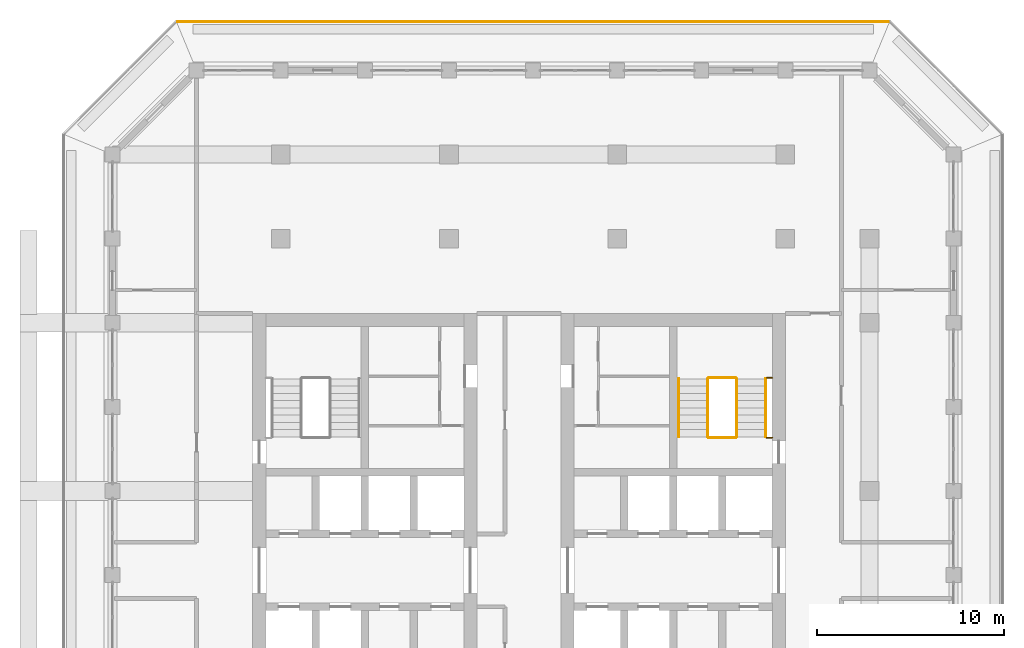
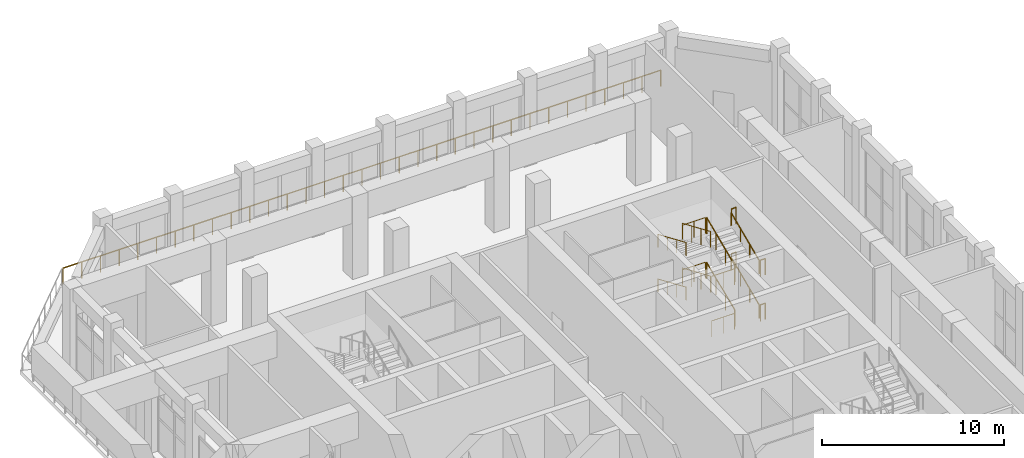
# One storey, part 23 of 25: 17 railings.
"""IFC4 building model written with IfcOpenShell, lengths in metres."""

from ifc_helpers import new_model, si_unit, direction, frame, origin, origin_2d, place, context, subcontext, project, spatial, circle, extrude, material, type_object, element, save


model = new_model("IFC4")

# Units and contexts
model_context = context("Model", 3, precision=1e-05, world=origin(), true_north=direction((0.0, 1.0)))
body_context = subcontext(model_context, "Body", "Model", "MODEL_VIEW")
ifc_project = project(units=[si_unit("LENGTHUNIT", "METRE"), si_unit("AREAUNIT", "SQUARE_METRE"), si_unit("VOLUMEUNIT", "CUBIC_METRE"), si_unit("PLANEANGLEUNIT", "RADIAN"), si_unit("MASSUNIT", "GRAM", prefix="KILO")], contexts=[model_context])

# Site, building, storey
site_placement = place(None, origin())
site = spatial("IfcSite", under=ifc_project, at=site_placement, CompositionType="ELEMENT")
building_placement = place(site_placement, origin())
building = spatial("IfcBuilding", under=site, at=building_placement, Name="Corbel Stack Research Tower", CompositionType="ELEMENT")
storey_placement = place(building_placement, frame((0.0, 0.0, 260.300048828125)))
storey = spatial("IfcBuildingStorey", under=building, at=storey_placement, Name="L59", CompositionType="ELEMENT", Elevation=260.300048828125)

# Railings
ifc_material_1 = material(Name="Steel S355", Category="steel")
railing_type_1 = type_object("IfcRailingType", Name="Stair guard 1100", PredefinedType="GUARDRAIL", material=ifc_material_1)
railing_1_placement = place(storey_placement, frame((15.39990234375, 11.89990234375, 0.16650390625)))
element("IfcRailing", 1, at=railing_1_placement, inside=storey, type_object=railing_type_1, Name="L59 ST-E2 stair guard 1", PredefinedType="GUARDRAIL", context=body_context, shape_type="SweptSolid", body=[
    extrude(circle(Radius=0.02392578125, at=origin_2d()), frame((0.0, 0.0, 1.076171875), z_axis=(0.0, 0.918800789217, 0.394721559753), x_axis=(-1.0, 0.0, 0.0)), (0.0, 0.0, 1.0), 3.37841796875),
    extrude(circle(Radius=0.02099609375, at=origin_2d()), origin(), (0.0, 0.0, 1.0), 1.052001953125),
    extrude(circle(Radius=0.02099609375, at=origin_2d()), frame((0.0, 1.03466796875, 0.444580078125)), (0.0, 0.0, 1.0), 1.052001953125),
    extrude(circle(Radius=0.02099609375, at=origin_2d()), frame((0.0, 2.0693359375, 0.888916015625)), (0.0, 0.0, 1.0), 1.052001953125),
    extrude(circle(Radius=0.02099609375, at=origin_2d()), frame((0.0, 3.10400390625, 1.33349609375)), (0.0, 0.0, 1.0), 1.052001953125),
])
railing_2_placement = place(storey_placement, frame((15.35009765625, 15.053955078125, 1.5)))
element("IfcRailing", 2, at=railing_2_placement, inside=storey, type_object=railing_type_1, Name="L59 ST-E2 stair guard 2", PredefinedType="GUARDRAIL", context=body_context, shape_type="SweptSolid", body=[
    extrude(circle(Radius=0.02392578125, at=origin_2d()), frame((0.0, 0.0, 1.076171875), z_axis=(-1.0, 0.0, 0.0), x_axis=(0.0, -1.0, 0.0)), (0.0, 0.0, 1.0), 1.4501953125),
    extrude(circle(Radius=0.02099609375, at=origin_2d()), origin(), (0.0, 0.0, 1.0), 1.052001953125),
    extrude(circle(Radius=0.02099609375, at=origin_2d()), frame((-0.72509765625, 0.0, 0.0)), (0.0, 0.0, 1.0), 1.052001953125),
    extrude(circle(Radius=0.02099609375, at=origin_2d()), frame((-1.4501953125, 0.0, 0.0)), (0.0, 0.0, 1.0), 1.052001953125),
])
railing_3_placement = place(storey_placement, frame((17.300048828125, 15.053955078125, 1.5)))
element("IfcRailing", 3, at=railing_3_placement, inside=storey, type_object=railing_type_1, Name="L59 ST-E2 stair guard 3", PredefinedType="GUARDRAIL", context=body_context, shape_type="SweptSolid", body=[
    extrude(circle(Radius=0.02392578125, at=origin_2d()), frame((0.0, 0.0, 1.076171875), z_axis=(-1.0, 0.0, 0.0), x_axis=(0.0, -1.0, 0.0)), (0.0, 0.0, 1.0), 0.300048828125),
    extrude(circle(Radius=0.02099609375, at=origin_2d()), origin(), (0.0, 0.0, 1.0), 1.052001953125),
    extrude(circle(Radius=0.02099609375, at=origin_2d()), frame((-0.300048828125, 0.0, 0.0)), (0.0, 0.0, 1.0), 1.052001953125),
])
railing_4_placement = place(storey_placement, frame((13.85009765625, 15.00390625, 1.66650390625)))
element("IfcRailing", 4, at=railing_4_placement, inside=storey, type_object=railing_type_1, Name="L59 ST-E2 stair guard 4", PredefinedType="GUARDRAIL", context=body_context, shape_type="SweptSolid", body=[
    extrude(circle(Radius=0.02392578125, at=origin_2d()), frame((0.0, 0.0, 1.076171875), z_axis=(0.0, -0.918800789217, 0.394721559753), x_axis=(1.0, 0.0, 0.0)), (0.0, 0.0, 1.0), 3.37841796875),
    extrude(circle(Radius=0.02099609375, at=origin_2d()), origin(), (0.0, 0.0, 1.0), 1.052001953125),
    extrude(circle(Radius=0.02099609375, at=origin_2d()), frame((0.0, -1.03466796875, 0.444580078125)), (0.0, 0.0, 1.0), 1.052001953125),
    extrude(circle(Radius=0.02099609375, at=origin_2d()), frame((0.0, -2.0693359375, 0.888916015625)), (0.0, 0.0, 1.0), 1.052001953125),
    extrude(circle(Radius=0.02099609375, at=origin_2d()), frame((0.0, -3.10400390625, 1.33349609375)), (0.0, 0.0, 1.0), 1.052001953125),
])
railing_5_placement = place(storey_placement, frame((15.35009765625, 11.85009765625, 3.0)))
element("IfcRailing", 5, at=railing_5_placement, inside=storey, type_object=railing_type_1, Name="L59 ST-E2 stair guard 5", PredefinedType="GUARDRAIL", context=body_context, shape_type="SweptSolid", body=[
    extrude(circle(Radius=0.02392578125, at=origin_2d()), frame((0.0, 0.0, 1.076171875), z_axis=(-1.0, 0.0, 0.0), x_axis=(0.0, -1.0, 0.0)), (0.0, 0.0, 1.0), 1.4501953125),
    extrude(circle(Radius=0.02099609375, at=origin_2d()), origin(), (0.0, 0.0, 1.0), 1.052001953125),
    extrude(circle(Radius=0.02099609375, at=origin_2d()), frame((-0.72509765625, 0.0, 0.0)), (0.0, 0.0, 1.0), 1.052001953125),
    extrude(circle(Radius=0.02099609375, at=origin_2d()), frame((-1.4501953125, 0.0, 0.0)), (0.0, 0.0, 1.0), 1.052001953125),
])
railing_6_placement = place(storey_placement, frame((17.300048828125, 11.85009765625, 3.0)))
element("IfcRailing", 6, at=railing_6_placement, inside=storey, type_object=railing_type_1, Name="L59 ST-E2 stair guard 6", PredefinedType="GUARDRAIL", context=body_context, shape_type="SweptSolid", body=[
    extrude(circle(Radius=0.02392578125, at=origin_2d()), frame((0.0, 0.0, 1.076171875), z_axis=(-1.0, 0.0, 0.0), x_axis=(0.0, -1.0, 0.0)), (0.0, 0.0, 1.0), 0.300048828125),
    extrude(circle(Radius=0.02099609375, at=origin_2d()), origin(), (0.0, 0.0, 1.0), 1.052001953125),
    extrude(circle(Radius=0.02099609375, at=origin_2d()), frame((-0.300048828125, 0.0, 0.0)), (0.0, 0.0, 1.0), 1.052001953125),
])
railing_7_placement = place(storey_placement, frame((15.39990234375, 11.89990234375, 3.16650390625)))
element("IfcRailing", 7, at=railing_7_placement, inside=storey, type_object=railing_type_1, Name="L59 ST-E2 stair guard 7", PredefinedType="GUARDRAIL", context=body_context, shape_type="SweptSolid", body=[
    extrude(circle(Radius=0.02392578125, at=origin_2d()), frame((0.0, 0.0, 1.076171875), z_axis=(0.0, 0.918800789217, 0.394721559753), x_axis=(-1.0, 0.0, 0.0)), (0.0, 0.0, 1.0), 3.37841796875),
    extrude(circle(Radius=0.02099609375, at=origin_2d()), origin(), (0.0, 0.0, 1.0), 1.052001953125),
    extrude(circle(Radius=0.02099609375, at=origin_2d()), frame((0.0, 1.03466796875, 0.444580078125)), (0.0, 0.0, 1.0), 1.052001953125),
    extrude(circle(Radius=0.02099609375, at=origin_2d()), frame((0.0, 2.0693359375, 0.888916015625)), (0.0, 0.0, 1.0), 1.052001953125),
    extrude(circle(Radius=0.02099609375, at=origin_2d()), frame((0.0, 3.10400390625, 1.33349609375)), (0.0, 0.0, 1.0), 1.052001953125),
])
railing_8_placement = place(storey_placement, frame((15.35009765625, 15.053955078125, 4.5)))
element("IfcRailing", 8, at=railing_8_placement, inside=storey, type_object=railing_type_1, Name="L59 ST-E2 stair guard 8", PredefinedType="GUARDRAIL", context=body_context, shape_type="SweptSolid", body=[
    extrude(circle(Radius=0.02392578125, at=origin_2d()), frame((0.0, 0.0, 1.076171875), z_axis=(-1.0, 0.0, 0.0), x_axis=(0.0, -1.0, 0.0)), (0.0, 0.0, 1.0), 1.4501953125),
    extrude(circle(Radius=0.02099609375, at=origin_2d()), origin(), (0.0, 0.0, 1.0), 1.052001953125),
    extrude(circle(Radius=0.02099609375, at=origin_2d()), frame((-0.72509765625, 0.0, 0.0)), (0.0, 0.0, 1.0), 1.052001953125),
    extrude(circle(Radius=0.02099609375, at=origin_2d()), frame((-1.4501953125, 0.0, 0.0)), (0.0, 0.0, 1.0), 1.052001953125),
])
railing_9_placement = place(storey_placement, frame((17.300048828125, 15.053955078125, 4.5)))
element("IfcRailing", 9, at=railing_9_placement, inside=storey, type_object=railing_type_1, Name="L59 ST-E2 stair guard 9", PredefinedType="GUARDRAIL", context=body_context, shape_type="SweptSolid", body=[
    extrude(circle(Radius=0.02392578125, at=origin_2d()), frame((0.0, 0.0, 1.076171875), z_axis=(-1.0, 0.0, 0.0), x_axis=(0.0, -1.0, 0.0)), (0.0, 0.0, 1.0), 0.300048828125),
    extrude(circle(Radius=0.02099609375, at=origin_2d()), origin(), (0.0, 0.0, 1.0), 1.052001953125),
    extrude(circle(Radius=0.02099609375, at=origin_2d()), frame((-0.300048828125, 0.0, 0.0)), (0.0, 0.0, 1.0), 1.052001953125),
])
railing_10_placement = place(storey_placement, frame((13.85009765625, 15.00390625, 4.66650390625)))
element("IfcRailing", 10, at=railing_10_placement, inside=storey, type_object=railing_type_1, Name="L59 ST-E2 stair guard 10", PredefinedType="GUARDRAIL", context=body_context, shape_type="SweptSolid", body=[
    extrude(circle(Radius=0.02392578125, at=origin_2d()), frame((0.0, 0.0, 1.076171875), z_axis=(0.0, -0.918800789217, 0.394721559753), x_axis=(1.0, 0.0, 0.0)), (0.0, 0.0, 1.0), 3.37841796875),
    extrude(circle(Radius=0.02099609375, at=origin_2d()), origin(), (0.0, 0.0, 1.0), 1.052001953125),
    extrude(circle(Radius=0.02099609375, at=origin_2d()), frame((0.0, -1.03466796875, 0.444580078125)), (0.0, 0.0, 1.0), 1.052001953125),
    extrude(circle(Radius=0.02099609375, at=origin_2d()), frame((0.0, -2.0693359375, 0.888916015625)), (0.0, 0.0, 1.0), 1.052001953125),
    extrude(circle(Radius=0.02099609375, at=origin_2d()), frame((0.0, -3.10400390625, 1.33349609375)), (0.0, 0.0, 1.0), 1.052001953125),
])
railing_11_placement = place(storey_placement, frame((15.35009765625, 11.85009765625, 0.0)))
element("IfcRailing", 11, at=railing_11_placement, inside=storey, type_object=railing_type_1, Name="L59 ST-E2 stair guard 11", PredefinedType="GUARDRAIL", context=body_context, shape_type="SweptSolid", body=[
    extrude(circle(Radius=0.02392578125, at=origin_2d()), frame((0.0, 0.0, 1.076171875), z_axis=(-1.0, 0.0, 0.0), x_axis=(0.0, -1.0, 0.0)), (0.0, 0.0, 1.0), 1.4501953125),
    extrude(circle(Radius=0.02099609375, at=origin_2d()), origin(), (0.0, 0.0, 1.0), 1.052001953125),
    extrude(circle(Radius=0.02099609375, at=origin_2d()), frame((-0.72509765625, 0.0, 0.0)), (0.0, 0.0, 1.0), 1.052001953125),
    extrude(circle(Radius=0.02099609375, at=origin_2d()), frame((-1.4501953125, 0.0, 0.0)), (0.0, 0.0, 1.0), 1.052001953125),
])
railing_12_placement = place(storey_placement, frame((17.300048828125, 11.85009765625, 0.0)))
element("IfcRailing", 12, at=railing_12_placement, inside=storey, type_object=railing_type_1, Name="L59 ST-E2 stair guard 12", PredefinedType="GUARDRAIL", context=body_context, shape_type="SweptSolid", body=[
    extrude(circle(Radius=0.02392578125, at=origin_2d()), frame((0.0, 0.0, 1.076171875), z_axis=(-1.0, 0.0, 0.0), x_axis=(0.0, -1.0, 0.0)), (0.0, 0.0, 1.0), 0.300048828125),
    extrude(circle(Radius=0.02099609375, at=origin_2d()), origin(), (0.0, 0.0, 1.0), 1.052001953125),
    extrude(circle(Radius=0.02099609375, at=origin_2d()), frame((-0.300048828125, 0.0, 0.0)), (0.0, 0.0, 1.0), 1.052001953125),
])
ifc_material_2 = material(Name="Steel S355", Category="steel")
railing_type_2 = type_object("IfcRailingType", Name="Stair handrail 900", PredefinedType="HANDRAIL", material=ifc_material_2)
railing_13_placement = place(storey_placement, frame((16.949951171875, 11.89990234375, 0.16650390625)))
element("IfcRailing", 13, at=railing_13_placement, inside=storey, type_object=railing_type_2, Name="L59 ST-E2 stair handrail 1", PredefinedType="HANDRAIL", context=body_context, shape_type="SweptSolid", body=[
    extrude(circle(Radius=0.02392578125, at=origin_2d()), frame((0.0, 0.0, 0.8759765625), z_axis=(0.0, 0.918800789217, 0.394721559753), x_axis=(-1.0, 0.0, 0.0)), (0.0, 0.0, 1.0), 3.37841796875),
    extrude(circle(Radius=0.02099609375, at=origin_2d()), origin(), (0.0, 0.0, 1.0), 0.851806640625),
    extrude(circle(Radius=0.02099609375, at=origin_2d()), frame((0.0, 1.03466796875, 0.444580078125)), (0.0, 0.0, 1.0), 0.851806640625),
    extrude(circle(Radius=0.02099609375, at=origin_2d()), frame((0.0, 2.0693359375, 0.888916015625)), (0.0, 0.0, 1.0), 0.851806640625),
    extrude(circle(Radius=0.02099609375, at=origin_2d()), frame((0.0, 3.10400390625, 1.33349609375)), (0.0, 0.0, 1.0), 0.851806640625),
])
railing_14_placement = place(storey_placement, frame((12.300048828125, 15.00390625, 1.66650390625)))
element("IfcRailing", 14, at=railing_14_placement, inside=storey, type_object=railing_type_2, Name="L59 ST-E2 stair handrail 2", PredefinedType="HANDRAIL", context=body_context, shape_type="SweptSolid", body=[
    extrude(circle(Radius=0.02392578125, at=origin_2d()), frame((0.0, 0.0, 0.8759765625), z_axis=(0.0, -0.918800789217, 0.394721559753), x_axis=(1.0, 0.0, 0.0)), (0.0, 0.0, 1.0), 3.37841796875),
    extrude(circle(Radius=0.02099609375, at=origin_2d()), origin(), (0.0, 0.0, 1.0), 0.851806640625),
    extrude(circle(Radius=0.02099609375, at=origin_2d()), frame((0.0, -1.03466796875, 0.444580078125)), (0.0, 0.0, 1.0), 0.851806640625),
    extrude(circle(Radius=0.02099609375, at=origin_2d()), frame((0.0, -2.0693359375, 0.888916015625)), (0.0, 0.0, 1.0), 0.851806640625),
    extrude(circle(Radius=0.02099609375, at=origin_2d()), frame((0.0, -3.10400390625, 1.33349609375)), (0.0, 0.0, 1.0), 0.851806640625),
])
railing_15_placement = place(storey_placement, frame((16.949951171875, 11.89990234375, 3.16650390625)))
element("IfcRailing", 15, at=railing_15_placement, inside=storey, type_object=railing_type_2, Name="L59 ST-E2 stair handrail 3", PredefinedType="HANDRAIL", context=body_context, shape_type="SweptSolid", body=[
    extrude(circle(Radius=0.02392578125, at=origin_2d()), frame((0.0, 0.0, 0.8759765625), z_axis=(0.0, 0.918800789217, 0.394721559753), x_axis=(-1.0, 0.0, 0.0)), (0.0, 0.0, 1.0), 3.37841796875),
    extrude(circle(Radius=0.02099609375, at=origin_2d()), origin(), (0.0, 0.0, 1.0), 0.851806640625),
    extrude(circle(Radius=0.02099609375, at=origin_2d()), frame((0.0, 1.03466796875, 0.444580078125)), (0.0, 0.0, 1.0), 0.851806640625),
    extrude(circle(Radius=0.02099609375, at=origin_2d()), frame((0.0, 2.0693359375, 0.888916015625)), (0.0, 0.0, 1.0), 0.851806640625),
    extrude(circle(Radius=0.02099609375, at=origin_2d()), frame((0.0, 3.10400390625, 1.33349609375)), (0.0, 0.0, 1.0), 0.851806640625),
])
railing_16_placement = place(storey_placement, frame((12.300048828125, 15.00390625, 4.66650390625)))
element("IfcRailing", 16, at=railing_16_placement, inside=storey, type_object=railing_type_2, Name="L59 ST-E2 stair handrail 4", PredefinedType="HANDRAIL", context=body_context, shape_type="SweptSolid", body=[
    extrude(circle(Radius=0.02392578125, at=origin_2d()), frame((0.0, 0.0, 0.8759765625), z_axis=(0.0, -0.918800789217, 0.394721559753), x_axis=(1.0, 0.0, 0.0)), (0.0, 0.0, 1.0), 3.37841796875),
    extrude(circle(Radius=0.02099609375, at=origin_2d()), origin(), (0.0, 0.0, 1.0), 0.851806640625),
    extrude(circle(Radius=0.02099609375, at=origin_2d()), frame((0.0, -1.03466796875, 0.444580078125)), (0.0, 0.0, 1.0), 0.851806640625),
    extrude(circle(Radius=0.02099609375, at=origin_2d()), frame((0.0, -2.0693359375, 0.888916015625)), (0.0, 0.0, 1.0), 0.851806640625),
    extrude(circle(Radius=0.02099609375, at=origin_2d()), frame((0.0, -3.10400390625, 1.33349609375)), (0.0, 0.0, 1.0), 0.851806640625),
])
ifc_material_3 = material(Name="Powder-coated steel guard", Category="steel")
railing_type_3 = type_object("IfcRailingType", Name="Steel and glass guard 1100", PredefinedType="GUARDRAIL", material=ifc_material_3)
railing_17_placement = place(storey_placement, frame((23.50537109375, 34.10009765625, 0.0)))
element("IfcRailing", 17, at=railing_17_placement, inside=storey, type_object=railing_type_3, Name="Loggia guard L59 N", PredefinedType="GUARDRAIL", context=body_context, shape_type="SweptSolid", body=[
    extrude(circle(Radius=0.02392578125, at=origin_2d()), frame((0.0, 0.0, 1.076171875), z_axis=(-1.0, 0.0, 0.0), x_axis=(0.0, -1.0, 0.0)), (0.0, 0.0, 1.0), 38.0107421875),
    extrude(circle(Radius=0.02099609375, at=origin_2d()), origin(), (0.0, 0.0, 1.0), 1.052001953125),
    extrude(circle(Radius=0.02099609375, at=origin_2d()), frame((-1.187744140625, 0.0, 0.0)), (0.0, 0.0, 1.0), 1.052001953125),
    extrude(circle(Radius=0.02099609375, at=origin_2d()), frame((-2.375732421875, 0.0, 0.0)), (0.0, 0.0, 1.0), 1.052001953125),
    extrude(circle(Radius=0.02099609375, at=origin_2d()), frame((-3.5634765625, 0.0, 0.0)), (0.0, 0.0, 1.0), 1.052001953125),
    extrude(circle(Radius=0.02099609375, at=origin_2d()), frame((-4.75146484375, 0.0, 0.0)), (0.0, 0.0, 1.0), 1.052001953125),
    extrude(circle(Radius=0.02099609375, at=origin_2d()), frame((-5.939208984375, 0.0, 0.0)), (0.0, 0.0, 1.0), 1.052001953125),
    extrude(circle(Radius=0.02099609375, at=origin_2d()), frame((-7.126953125, 0.0, 0.0)), (0.0, 0.0, 1.0), 1.052001953125),
    extrude(circle(Radius=0.02099609375, at=origin_2d()), frame((-8.31494140625, 0.0, 0.0)), (0.0, 0.0, 1.0), 1.052001953125),
    extrude(circle(Radius=0.02099609375, at=origin_2d()), frame((-9.502685546875, 0.0, 0.0)), (0.0, 0.0, 1.0), 1.052001953125),
    extrude(circle(Radius=0.02099609375, at=origin_2d()), frame((-10.6904296875, 0.0, 0.0)), (0.0, 0.0, 1.0), 1.052001953125),
    extrude(circle(Radius=0.02099609375, at=origin_2d()), frame((-11.87841796875, 0.0, 0.0)), (0.0, 0.0, 1.0), 1.052001953125),
    extrude(circle(Radius=0.02099609375, at=origin_2d()), frame((-13.066162109375, 0.0, 0.0)), (0.0, 0.0, 1.0), 1.052001953125),
    extrude(circle(Radius=0.02099609375, at=origin_2d()), frame((-14.25390625, 0.0, 0.0)), (0.0, 0.0, 1.0), 1.052001953125),
    extrude(circle(Radius=0.02099609375, at=origin_2d()), frame((-15.44189453125, 0.0, 0.0)), (0.0, 0.0, 1.0), 1.052001953125),
    extrude(circle(Radius=0.02099609375, at=origin_2d()), frame((-16.629638671875, 0.0, 0.0)), (0.0, 0.0, 1.0), 1.052001953125),
    extrude(circle(Radius=0.02099609375, at=origin_2d()), frame((-17.817626953125, 0.0, 0.0)), (0.0, 0.0, 1.0), 1.052001953125),
    extrude(circle(Radius=0.02099609375, at=origin_2d()), frame((-19.00537109375, 0.0, 0.0)), (0.0, 0.0, 1.0), 1.052001953125),
    extrude(circle(Radius=0.02099609375, at=origin_2d()), frame((-20.193115234375, 0.0, 0.0)), (0.0, 0.0, 1.0), 1.052001953125),
    extrude(circle(Radius=0.02099609375, at=origin_2d()), frame((-21.381103515625, 0.0, 0.0)), (0.0, 0.0, 1.0), 1.052001953125),
    extrude(circle(Radius=0.02099609375, at=origin_2d()), frame((-22.56884765625, 0.0, 0.0)), (0.0, 0.0, 1.0), 1.052001953125),
    extrude(circle(Radius=0.02099609375, at=origin_2d()), frame((-23.7568359375, 0.0, 0.0)), (0.0, 0.0, 1.0), 1.052001953125),
    extrude(circle(Radius=0.02099609375, at=origin_2d()), frame((-24.944580078125, 0.0, 0.0)), (0.0, 0.0, 1.0), 1.052001953125),
    extrude(circle(Radius=0.02099609375, at=origin_2d()), frame((-26.13232421875, 0.0, 0.0)), (0.0, 0.0, 1.0), 1.052001953125),
    extrude(circle(Radius=0.02099609375, at=origin_2d()), frame((-27.3203125, 0.0, 0.0)), (0.0, 0.0, 1.0), 1.052001953125),
    extrude(circle(Radius=0.02099609375, at=origin_2d()), frame((-28.508056640625, 0.0, 0.0)), (0.0, 0.0, 1.0), 1.052001953125),
    extrude(circle(Radius=0.02099609375, at=origin_2d()), frame((-29.69580078125, 0.0, 0.0)), (0.0, 0.0, 1.0), 1.052001953125),
    extrude(circle(Radius=0.02099609375, at=origin_2d()), frame((-30.8837890625, 0.0, 0.0)), (0.0, 0.0, 1.0), 1.052001953125),
    extrude(circle(Radius=0.02099609375, at=origin_2d()), frame((-32.071533203125, 0.0, 0.0)), (0.0, 0.0, 1.0), 1.052001953125),
    extrude(circle(Radius=0.02099609375, at=origin_2d()), frame((-33.25927734375, 0.0, 0.0)), (0.0, 0.0, 1.0), 1.052001953125),
    extrude(circle(Radius=0.02099609375, at=origin_2d()), frame((-34.447265625, 0.0, 0.0)), (0.0, 0.0, 1.0), 1.052001953125),
    extrude(circle(Radius=0.02099609375, at=origin_2d()), frame((-35.635009765625, 0.0, 0.0)), (0.0, 0.0, 1.0), 1.052001953125),
    extrude(circle(Radius=0.02099609375, at=origin_2d()), frame((-36.822998046875, 0.0, 0.0)), (0.0, 0.0, 1.0), 1.052001953125),
    extrude(circle(Radius=0.02099609375, at=origin_2d()), frame((-38.0107421875, 0.0, 0.0)), (0.0, 0.0, 1.0), 1.052001953125),
])

save(model, "model.ifc")
